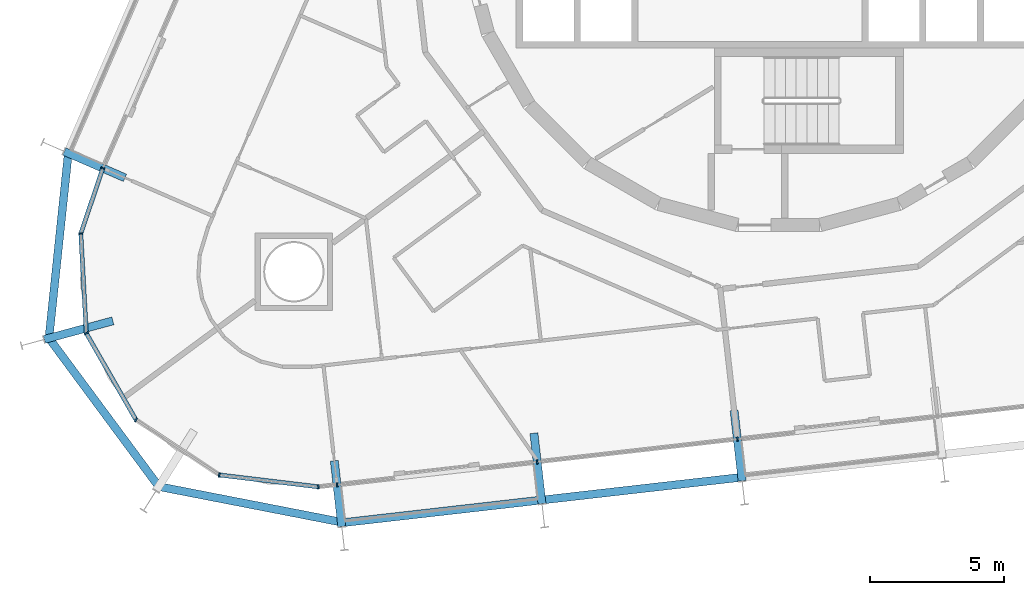
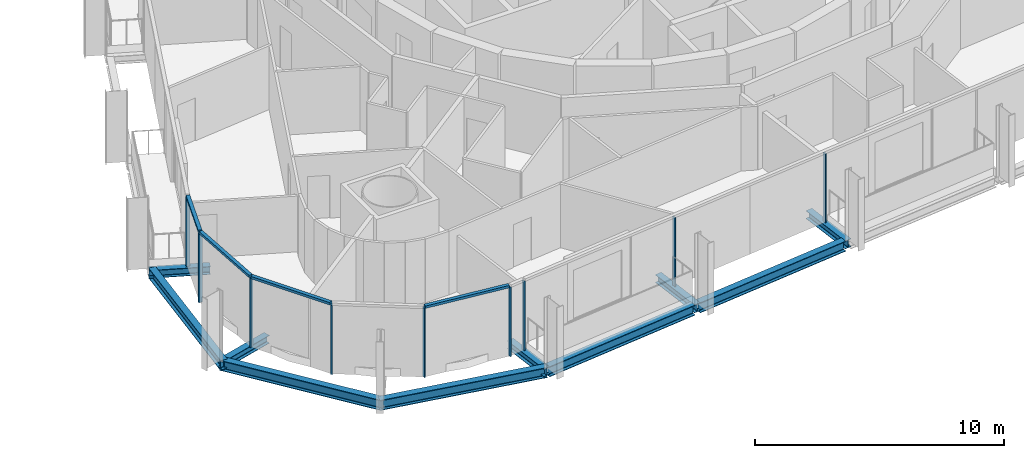
# One storey, part 3 of 24: 13 members, 10 beams, 2 elements without a shape of their own.
"""IFC4 building model written with IfcOpenShell, lengths in metres."""

from ifc_helpers import new_model, si_unit, direction, frame, origin, origin_2d, place, context, subcontext, project, spatial, rectangle, i_section, extrude, material, layer, layer_set, material_profile, profile_set, type_object, element, aggregate, save


model = new_model("IFC4")

# Units and contexts
model_context = context("Model", 3, precision=1e-05, world=origin(), true_north=direction((0.0, 1.0)))
body_context = subcontext(model_context, "Body", "Model", "MODEL_VIEW")
ifc_project = project(units=[si_unit("LENGTHUNIT", "METRE"), si_unit("AREAUNIT", "SQUARE_METRE"), si_unit("VOLUMEUNIT", "CUBIC_METRE"), si_unit("PLANEANGLEUNIT", "RADIAN"), si_unit("MASSUNIT", "GRAM", prefix="KILO")], contexts=[model_context])

# Site, building, storey
site_placement = place(None, origin())
site = spatial("IfcSite", under=ifc_project, at=site_placement, CompositionType="ELEMENT")
building_placement = place(site_placement, origin())
building = spatial("IfcBuilding", under=site, at=building_placement, Name="Spindle Arch Residences", CompositionType="ELEMENT")
storey_placement = place(building_placement, frame((0.0, 0.0, 101.199951171875)))
storey = spatial("IfcBuildingStorey", under=building, at=storey_placement, Name="L24", CompositionType="ELEMENT", Elevation=101.199951171875)

# Curtain wall, members
ifc_material_1 = material(Name="Aluminium bronze unitised frame with tinted glass", Category="aluminium")
ifc_layer_1 = layer(ifc_material_1, 0.159912109375)
ifc_layer_set_1 = layer_set([ifc_layer_1], Name="CW-D corner wall on the fillet arcs")
curtain_wall_type_1 = type_object("IfcCurtainWallType", Name="CW-D corner wall on the fillet arcs", PredefinedType="NOTDEFINED", material=ifc_layer_set_1)
curtain_wall_1_placement = place(storey_placement, origin())
curtain_wall_1 = element("IfcCurtainWall", 1, at=curtain_wall_1_placement, inside=storey, type_object=curtain_wall_type_1, Name="CW-D L24 run 5", PredefinedType="NOTDEFINED")
ifc_material_2 = material(Name="Aluminium bronze anodised mullion", Category="aluminium")
ifc_material_profile_1 = material_profile(ifc_material_2, rectangle(XDim=0.159912109375, YDim=0.06005859375, at=origin_2d()), Name="MU 60x160")
ifc_profile_set_1 = profile_set([ifc_material_profile_1], Name="Aluminium bronze anodised mullion")
member_type_1 = type_object("IfcMemberType", Name="Bronze mullion 60x160", PredefinedType="MULLION", material=ifc_profile_set_1)
member_1_placement = place(storey_placement, frame((-25.22900390625, -9.527099609375, -0.3798828125), z_axis=(0.0, 0.0, 1.0), x_axis=(0.947509671237, -0.319727106941, 0.0)))
member_1 = element("IfcMember", 2, at=member_1_placement, type_object=member_type_1, Name="CW-D mullion 00", PredefinedType="MULLION", context=body_context, shape_type="SweptSolid", body=[
    extrude(rectangle(XDim=0.159912109375, YDim=0.06005859375, at=origin_2d()), origin(), (0.0, 0.0, 1.0), 3.3798828125),
])
member_2_placement = place(storey_placement, frame((-26.052001953125, -11.96630859375, -0.3798828125), z_axis=(0.0, 0.0, 1.0), x_axis=(0.998473071057, 0.055240622495, 0.0)))
member_2 = element("IfcMember", 3, at=member_2_placement, type_object=member_type_1, Name="CW-D mullion 01", PredefinedType="MULLION", context=body_context, shape_type="SweptSolid", body=[
    extrude(rectangle(XDim=0.159912109375, YDim=0.06005859375, at=origin_2d()), origin(), (0.0, 0.0, 1.0), 3.3798828125),
])
member_3_placement = place(storey_placement, frame((-25.84619140625, -15.687255859375, -0.3798828125), z_axis=(0.0, 0.0, 1.0), x_axis=(0.867476179247, 0.497478721595, 0.0)))
member_3 = element("IfcMember", 4, at=member_3_placement, type_object=member_type_1, Name="CW-D mullion 02", PredefinedType="MULLION", context=body_context, shape_type="SweptSolid", body=[
    extrude(rectangle(XDim=0.159912109375, YDim=0.06005859375, at=origin_2d()), origin(), (0.0, 0.0, 1.0), 3.3798828125),
])
member_4_placement = place(storey_placement, frame((-23.9921875, -18.920166015625, -0.3798828125), z_axis=(0.0, 0.0, 1.0), x_axis=(0.551936987903, 0.833885820352, 0.0)))
member_4 = element("IfcMember", 5, at=member_4_placement, type_object=member_type_1, Name="CW-D mullion 03", PredefinedType="MULLION", context=body_context, shape_type="SweptSolid", body=[
    extrude(rectangle(XDim=0.159912109375, YDim=0.06005859375, at=origin_2d()), origin(), (0.0, 0.0, 1.0), 3.3798828125),
])
member_5_placement = place(storey_placement, frame((-20.884521484375, -20.97705078125, -0.3798828125), z_axis=(0.0, 0.0, 1.0), x_axis=(0.118981636756, 0.992896454881, 0.0)))
member_5 = element("IfcMember", 6, at=member_5_placement, type_object=member_type_1, Name="CW-D mullion 04", PredefinedType="MULLION", context=body_context, shape_type="SweptSolid", body=[
    extrude(rectangle(XDim=0.159912109375, YDim=0.06005859375, at=origin_2d()), origin(), (0.0, 0.0, 1.0), 3.3798828125),
])
member_6_placement = place(storey_placement, frame((-17.18408203125, -21.42041015625, -0.3798828125), z_axis=(0.0, 0.0, 1.0), x_axis=(-0.113203213768, 0.993571855677, 0.0)))
member_6 = element("IfcMember", 7, at=member_6_placement, type_object=member_type_1, Name="CW-D mullion 05", PredefinedType="MULLION", context=body_context, shape_type="SweptSolid", body=[
    extrude(rectangle(XDim=0.159912109375, YDim=0.06005859375, at=origin_2d()), origin(), (0.0, 0.0, 1.0), 3.3798828125),
])

ifc_material_3 = material(Name="Aluminium bronze unitised frame with tinted glass", Category="aluminium")
ifc_layer_2 = layer(ifc_material_3, 0.159912109375)
ifc_layer_set_2 = layer_set([ifc_layer_2], Name="CW-C typical residential unitised wall")
curtain_wall_type_2 = type_object("IfcCurtainWallType", Name="CW-C typical residential unitised wall", PredefinedType="NOTDEFINED", material=ifc_layer_set_2)
curtain_wall_2_placement = place(storey_placement, origin())
curtain_wall_2 = element("IfcCurtainWall", 8, at=curtain_wall_2_placement, inside=storey, type_object=curtain_wall_type_2, Name="CW-C L24 run 6", PredefinedType="NOTDEFINED")
member_7_placement = place(storey_placement, frame((-16.487060546875, -21.341064453125, -0.3798828125), z_axis=(0.0, 0.0, 1.0), x_axis=(-0.113203213768, 0.993571855677, 0.0)))
member_7 = element("IfcMember", 9, at=member_7_placement, type_object=member_type_1, Name="CW-C mullion 21", PredefinedType="MULLION", context=body_context, shape_type="SweptSolid", body=[
    extrude(rectangle(XDim=0.159912109375, YDim=0.06005859375, at=origin_2d()), origin(), (0.0, 0.0, 1.0), 3.3798828125),
])
member_8_placement = place(storey_placement, frame((-9.0166015625, -20.489990234375, -0.3798828125), z_axis=(0.0, 0.0, 1.0), x_axis=(-0.113203213768, 0.993571855677, 0.0)))
member_8 = element("IfcMember", 10, at=member_8_placement, type_object=member_type_1, Name="CW-C mullion 22", PredefinedType="MULLION", context=body_context, shape_type="SweptSolid", body=[
    extrude(rectangle(XDim=0.159912109375, YDim=0.06005859375, at=origin_2d()), origin(), (0.0, 0.0, 1.0), 3.3798828125),
])
member_9_placement = place(storey_placement, frame((-1.546142578125, -19.638671875, -0.3798828125), z_axis=(0.0, 0.0, 1.0), x_axis=(-0.113203213768, 0.993571855677, 0.0)))
member_9 = element("IfcMember", 11, at=member_9_placement, type_object=member_type_1, Name="CW-C mullion 23", PredefinedType="MULLION", context=body_context, shape_type="SweptSolid", body=[
    extrude(rectangle(XDim=0.159912109375, YDim=0.06005859375, at=origin_2d()), origin(), (0.0, 0.0, 1.0), 3.3798828125),
])
aggregate(curtain_wall_2, [member_7, member_8, member_9])

# Member
ifc_material_4 = material(Name="Aluminium bronze anodised transom", Category="aluminium")
ifc_material_profile_2 = material_profile(ifc_material_4, rectangle(XDim=0.159912109375, YDim=0.1201171875, at=origin_2d()), Name="TR 120x160")
ifc_profile_set_2 = profile_set([ifc_material_profile_2], Name="Aluminium bronze anodised transom")
member_type_2 = type_object("IfcMemberType", Name="Bronze transom 120x160", PredefinedType="USERDEFINED", material=ifc_profile_set_2)
member_10_placement = place(storey_placement, frame((-25.238525390625, -9.5556640625, 3.06005859375), z_axis=(-0.319779733892, -0.947491911201, 0.0), x_axis=(0.947491911201, -0.319779733892, 0.0)))
member_10 = element("IfcMember", 12, at=member_10_placement, type_object=member_type_2, Name="CW-D transom 00", ObjectType="TRANSOM", PredefinedType="USERDEFINED", context=body_context, shape_type="SweptSolid", body=[
    extrude(rectangle(XDim=0.159912109375, YDim=0.1201171875, at=origin_2d()), origin(), (0.0, 0.0, 1.0), 2.51416015625),
])

member_11_placement = place(storey_placement, frame((-26.05029296875, -11.99609375, 3.06005859375), z_axis=(0.055197130558, -0.998475476303, 0.0), x_axis=(0.998475476303, 0.055197130558, 0.0)))
member_11 = element("IfcMember", 13, at=member_11_placement, type_object=member_type_2, Name="CW-D transom 01", ObjectType="TRANSOM", PredefinedType="USERDEFINED", context=body_context, shape_type="SweptSolid", body=[
    extrude(rectangle(XDim=0.159912109375, YDim=0.1201171875, at=origin_2d()), origin(), (0.0, 0.0, 1.0), 3.666748046875),
])

member_12_placement = place(storey_placement, frame((-25.831298828125, -15.71337890625, 3.06005859375), z_axis=(0.497515065253, -0.867455335937, 0.0), x_axis=(0.867455335937, 0.497515065253, 0.0)))
member_12 = element("IfcMember", 14, at=member_12_placement, type_object=member_type_2, Name="CW-D transom 02", ObjectType="TRANSOM", PredefinedType="USERDEFINED", context=body_context, shape_type="SweptSolid", body=[
    extrude(rectangle(XDim=0.159912109375, YDim=0.1201171875, at=origin_2d()), origin(), (0.0, 0.0, 1.0), 3.666748046875),
])

member_13_placement = place(storey_placement, frame((-20.854736328125, -20.980712890625, 3.06005859375), z_axis=(0.992896987084, -0.118977195462, 0.0), x_axis=(0.118977195462, 0.992896987084, 0.0)))
member_13 = element("IfcMember", 15, at=member_13_placement, type_object=member_type_2, Name="CW-D transom 04", ObjectType="TRANSOM", PredefinedType="USERDEFINED", context=body_context, shape_type="SweptSolid", body=[
    extrude(rectangle(XDim=0.159912109375, YDim=0.1201171875, at=origin_2d()), origin(), (0.0, 0.0, 1.0), 3.6669921875),
])

aggregate(curtain_wall_1, [member_1, member_10, member_2, member_11, member_3, member_12, member_4, member_5, member_13, member_6])

# Beams
ifc_material_5 = material(Name="Steel S460ML, intumescent coating R 120", Category="steel")
ifc_material_profile_3 = material_profile(ifc_material_5, i_section(OverallWidth=0.300048828125, OverallDepth=0.5, WebThickness=0.014404296875, FlangeThickness=0.028076171875, FilletRadius=0.027099609375, at=origin_2d()), Name="HEB 500")
ifc_profile_set_3 = profile_set([ifc_material_profile_3], Name="Steel S460ML, intumescent coating R 120")
beam_type_1 = type_object("IfcBeamType", Name="Exoskeleton edge beam HEB 500", PredefinedType="BEAM", material=ifc_profile_set_3)
beam_1_placement = place(storey_placement, frame((-26.509521484375, -8.8935546875, -0.6298828125), z_axis=(-0.104068514681, -0.994570130384, 0.0), x_axis=(0.994570130384, -0.104068514681, 0.0)))
element("IfcBeam", 16, at=beam_1_placement, inside=storey, type_object=beam_type_1, Name="Exoskeleton edge beam 19", PredefinedType="BEAM", context=body_context, shape_type="SweptSolid", body=[
    extrude(i_section(OverallWidth=0.300048828125, OverallDepth=0.5, WebThickness=0.014404296875, FlangeThickness=0.028076171875, FilletRadius=0.027099609375, at=origin_2d()), origin(), (0.0, 0.0, 1.0), 7.09423828125),
])
beam_2_placement = place(storey_placement, frame((-27.297607421875, -15.791259765625, -0.6298828125), z_axis=(0.594811393653, -0.803865290942, 0.0), x_axis=(0.803865290942, 0.594811393653, 0.0)))
element("IfcBeam", 17, at=beam_2_placement, inside=storey, type_object=beam_type_1, Name="Exoskeleton edge beam 20", PredefinedType="BEAM", context=body_context, shape_type="SweptSolid", body=[
    extrude(i_section(OverallWidth=0.300048828125, OverallDepth=0.5, WebThickness=0.014404296875, FlangeThickness=0.028076171875, FilletRadius=0.027099609375, at=origin_2d()), origin(), (0.0, 0.0, 1.0), 7.08642578125),
])
beam_3_placement = place(storey_placement, frame((-23.218994140625, -21.39404296875, -0.6298828125), z_axis=(0.981537577594, -0.191269401033, 0.0), x_axis=(0.191269401033, 0.981537577594, 0.0)))
element("IfcBeam", 18, at=beam_3_placement, inside=storey, type_object=beam_type_1, Name="Exoskeleton edge beam 21", PredefinedType="BEAM", context=body_context, shape_type="SweptSolid", body=[
    extrude(i_section(OverallWidth=0.300048828125, OverallDepth=0.5, WebThickness=0.014404296875, FlangeThickness=0.028076171875, FilletRadius=0.027099609375, at=origin_2d()), origin(), (0.0, 0.0, 1.0), 7.09423828125),
])
for number, where, z_axis, x_axis, name in (
    (19, (-16.19580078125, -22.750244140625, -0.6298828125), (0.993570992395, 0.11321079044, 0.0), (-0.11321079044, 0.993570992395, 0.0), "Exoskeleton edge beam 22"),
    (20, (-8.725341796875, -21.899169921875, -0.6298828125), (0.993570992395, 0.11321079044, 0.0), (-0.11321079044, 0.993570992395, 0.0), "Exoskeleton edge beam 23"),
):
    element("IfcBeam", number, at=place(storey_placement, frame(where, z_axis=z_axis, x_axis=x_axis)), inside=storey, type_object=beam_type_1, Name=name, PredefinedType="BEAM", context=body_context, shape_type="SweptSolid", body=[
        extrude(i_section(OverallWidth=0.300048828125, OverallDepth=0.5, WebThickness=0.014404296875, FlangeThickness=0.028076171875, FilletRadius=0.027099609375, at=origin_2d()), origin(), (0.0, 0.0, 1.0), 7.2587890625),
    ])
ifc_material_6 = material(Name="Steel S460ML, intumescent coating R 120", Category="steel")
ifc_material_profile_4 = material_profile(ifc_material_6, i_section(OverallWidth=0.300048828125, OverallDepth=0.389892578125, WebThickness=0.010986328125, FlangeThickness=0.01904296875, FilletRadius=0.027099609375, at=origin_2d()), Name="HEA 400")
ifc_profile_set_4 = profile_set([ifc_material_profile_4], Name="Steel S460ML, intumescent coating R 120")
beam_type_2 = type_object("IfcBeamType", Name="Floor outrigger HEA 400", PredefinedType="BEAM", material=ifc_profile_set_4)
beam_4_placement = place(storey_placement, frame((-26.668701171875, -8.901123046875, -0.574951171875), z_axis=(0.917057489876, -0.398755012836, 0.0), x_axis=(0.398755012836, 0.917057489876, 0.0)))
element("IfcBeam", 21, at=beam_4_placement, inside=storey, type_object=beam_type_2, Name="Floor outrigger 19", PredefinedType="BEAM", context=body_context, shape_type="SweptSolid", body=[
    extrude(i_section(OverallWidth=0.300048828125, OverallDepth=0.389892578125, WebThickness=0.010986328125, FlangeThickness=0.01904296875, FilletRadius=0.027099609375, at=origin_2d()), origin(), (0.0, 0.0, 1.0), 2.47119140625),
])
beam_5_placement = place(storey_placement, frame((-27.41259765625, -15.918212890625, -0.574951171875), z_axis=(0.965139144412, 0.261737333837, 0.0), x_axis=(-0.261737333837, 0.965139144412, 0.0)))
element("IfcBeam", 22, at=beam_5_placement, inside=storey, type_object=beam_type_2, Name="Floor outrigger 20", PredefinedType="BEAM", context=body_context, shape_type="SweptSolid", body=[
    extrude(i_section(OverallWidth=0.300048828125, OverallDepth=0.389892578125, WebThickness=0.010986328125, FlangeThickness=0.01904296875, FilletRadius=0.027099609375, at=origin_2d()), origin(), (0.0, 0.0, 1.0), 2.64990234375),
])
beam_6_placement = place(storey_placement, frame((-16.309326171875, -22.90087890625, -0.574951171875), z_axis=(-0.113228917078, 0.993568926818, 0.0), x_axis=(-0.993568926818, -0.113228917078, 0.0)))
element("IfcBeam", 23, at=beam_6_placement, inside=storey, type_object=beam_type_2, Name="Floor outrigger 22", PredefinedType="BEAM", context=body_context, shape_type="SweptSolid", body=[
    extrude(i_section(OverallWidth=0.300048828125, OverallDepth=0.389892578125, WebThickness=0.010986328125, FlangeThickness=0.01904296875, FilletRadius=0.027099609375, at=origin_2d()), origin(), (0.0, 0.0, 1.0), 2.470947265625),
])
beam_7_placement = place(storey_placement, frame((-8.8388671875, -22.0498046875, -0.574951171875), z_axis=(-0.113232173128, 0.993568555747, 0.0), x_axis=(-0.993568555747, -0.113232173128, 0.0)))
element("IfcBeam", 24, at=beam_7_placement, inside=storey, type_object=beam_type_2, Name="Floor outrigger 23", PredefinedType="BEAM", context=body_context, shape_type="SweptSolid", body=[
    extrude(i_section(OverallWidth=0.300048828125, OverallDepth=0.389892578125, WebThickness=0.010986328125, FlangeThickness=0.01904296875, FilletRadius=0.027099609375, at=origin_2d()), origin(), (0.0, 0.0, 1.0), 2.64990234375),
])
beam_8_placement = place(storey_placement, frame((-1.368408203125, -21.19873046875, -0.574951171875), z_axis=(-0.113221808681, 0.993569736878, 0.0), x_axis=(-0.993569736878, -0.113221808681, 0.0)))
element("IfcBeam", 25, at=beam_8_placement, inside=storey, type_object=beam_type_2, Name="Floor outrigger 24", PredefinedType="BEAM", context=body_context, shape_type="SweptSolid", body=[
    extrude(i_section(OverallWidth=0.300048828125, OverallDepth=0.389892578125, WebThickness=0.010986328125, FlangeThickness=0.01904296875, FilletRadius=0.027099609375, at=origin_2d()), origin(), (0.0, 0.0, 1.0), 2.650146484375),
])

save(model, "model.ifc")
